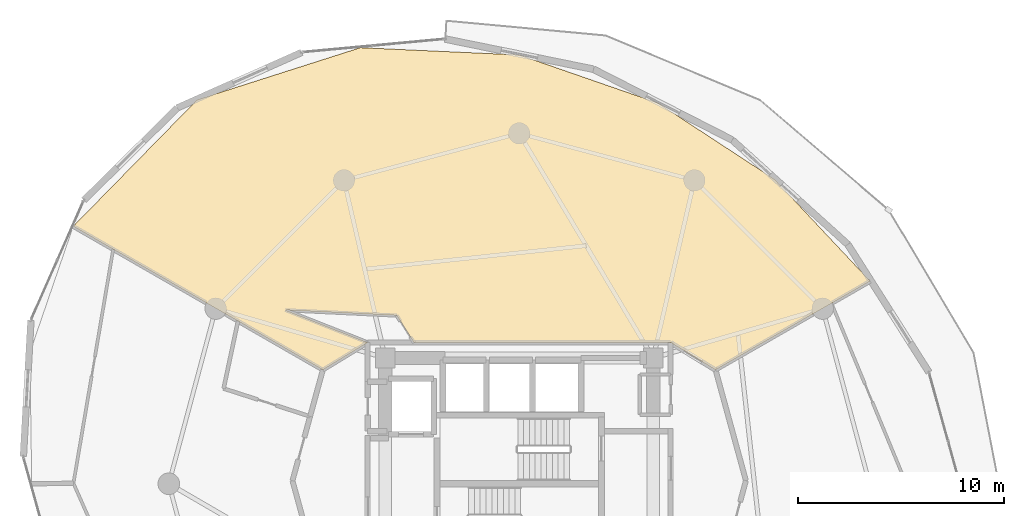
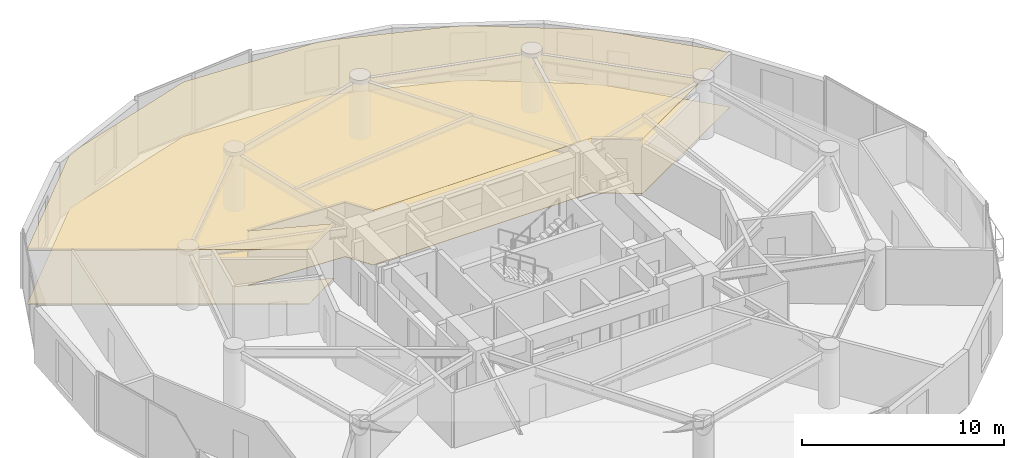
# One storey, part 25 of 25: 2 coverings.
"""IFC4 building model written with IfcOpenShell, lengths in metres."""

import ifcopenshell
import ifcopenshell.guid

model = None  # the IFC model being written
_history = None  # IfcOwnerHistory: only IFC2X3 demands one
_inside = {}  # id of a spatial element -> (the spatial element, [elements in it])
_under = {}  # id of a project, library or spatial element -> (it, [spatial elements below it])
_declared = {}  # id of a project -> (the project, [libraries it declares])
_typed = {}  # id of a type object -> (the type object, [elements of that type])
_made_of = {}  # id of a material, layer set ... -> (it, [elements and type objects made of it])


def new_model(schema):
    """Start an empty IFC model of exactly this schema.

    Asked for "IFC4X3", IfcOpenShell would pick the latest addendum, in which some entities
    have other attributes; the version numbers below select the first issue.
    IFC2X3 requires an IfcOwnerHistory on every rooted entity: one is made here for all.
    """
    global model, _history
    if schema == "IFC4X3":
        model = ifcopenshell.file(schema_version=(4, 3, 0, 0))
    else:
        model = ifcopenshell.file(schema=schema)
    _inside.clear()
    _under.clear()
    _declared.clear()
    _typed.clear()
    _made_of.clear()
    _history = None
    if model.schema == "IFC2X3":
        org = make("IfcOrganization", Name="unknown")
        user = make(
            "IfcPersonAndOrganization",
            ThePerson=make("IfcPerson", FamilyName="unknown"),
            TheOrganization=org,
        )
        app = make(
            "IfcApplication",
            ApplicationDeveloper=org,
            Version="unknown",
            ApplicationFullName="unknown",
            ApplicationIdentifier="unknown",
        )
        _history = make(
            "IfcOwnerHistory",
            OwningUser=user,
            OwningApplication=app,
            ChangeAction="ADDED",
            CreationDate=0,
        )
    return model


def make(cls, **values):
    """One entity of the class cls with the attributes given. An attribute that is None is left unset."""
    return model.create_entity(
        cls, **{name: value for name, value in values.items() if value is not None}
    )


def rooted(cls, **values):
    """An entity with a GlobalId (a new one), such as an element, a storey or a relation."""
    return make(cls, GlobalId=ifcopenshell.guid.new(), OwnerHistory=_history, **values)


def si_unit(unit_type, name, prefix=None):
    """IfcSIUnit, for example si_unit("LENGTHUNIT", "METRE", prefix="MILLI")."""
    return make("IfcSIUnit", UnitType=unit_type, Prefix=prefix, Name=name)


def assignment(units):
    """IfcUnitAssignment: the units of a project."""
    return None if units is None else make("IfcUnitAssignment", Units=units)


def point(xyz):
    """IfcCartesianPoint."""
    return None if xyz is None else make("IfcCartesianPoint", Coordinates=xyz)


def direction(xyz):
    """IfcDirection."""
    return None if xyz is None else make("IfcDirection", DirectionRatios=xyz)


def frame(location, z_axis=None, x_axis=None):
    """IfcAxis2Placement3D, a coordinate frame: its origin and axes. An axis left out is left unset."""
    return make(
        "IfcAxis2Placement3D",
        Location=point(location),
        Axis=direction(z_axis),
        RefDirection=direction(x_axis),
    )


def origin():
    """The frame at (0, 0, 0) with its axes left unset."""
    return frame((0.0, 0.0, 0.0))


def place(relative_to, where):
    """IfcLocalPlacement: puts the frame where relative to a parent placement (None: the world)."""
    return make(
        "IfcLocalPlacement", PlacementRelTo=relative_to, RelativePlacement=where
    )


def context(
    kind, dimensions, precision=None, world=None, true_north=None, identifier=None
):
    """IfcGeometricRepresentationContext, for example the 3D "Model" context."""
    return make(
        "IfcGeometricRepresentationContext",
        ContextIdentifier=identifier,
        ContextType=kind,
        CoordinateSpaceDimension=dimensions,
        Precision=precision,
        WorldCoordinateSystem=world,
        TrueNorth=true_north,
    )


def subcontext(parent, identifier, kind, view, scale=None):
    """IfcGeometricRepresentationSubContext, for example "Body" below "Model"."""
    return make(
        "IfcGeometricRepresentationSubContext",
        ContextIdentifier=identifier,
        ContextType=kind,
        ParentContext=parent,
        TargetScale=scale,
        TargetView=view,
    )


def project(units=None, contexts=None):
    """IfcProject with its units and contexts."""
    return rooted(
        "IfcProject",
        Name="project",
        RepresentationContexts=contexts,
        UnitsInContext=assignment(units),
    )


def spatial(cls, under=None, at=None, **own):
    """A site, building, storey or space (cls), placed at a placement, below another one or the project."""
    s = rooted(cls, ObjectPlacement=at, **own)
    if under is not None:
        _under.setdefault(under.id(), (under, []))[1].append(s)
    return s


def polyline(points):
    """IfcPolyline through the points."""
    return make("IfcPolyline", Points=[point(p) for p in points])


def outline(outer, holes=None, kind="AREA"):
    """IfcArbitraryClosedProfileDef: a profile drawn as a closed curve; with holes, ...WithVoids."""
    if holes is None:
        return make("IfcArbitraryClosedProfileDef", ProfileType=kind, OuterCurve=outer)
    return make(
        "IfcArbitraryProfileDefWithVoids",
        ProfileType=kind,
        OuterCurve=outer,
        InnerCurves=holes,
    )


def extrude(swept, where, along, depth):
    """IfcExtrudedAreaSolid: the profile swept, set in the frame where, extruded along a direction by depth."""
    return make(
        "IfcExtrudedAreaSolid",
        SweptArea=swept,
        Position=where,
        ExtrudedDirection=direction(along),
        Depth=depth,
    )


def shape(context_of_items, identifier, shape_type, items):
    """IfcShapeRepresentation: the items that make up one representation, for example the "Body"."""
    return make(
        "IfcShapeRepresentation",
        ContextOfItems=context_of_items,
        RepresentationIdentifier=identifier,
        RepresentationType=shape_type,
        Items=items,
    )


def material(Name=None, Category=None):
    """IfcMaterial."""
    return make("IfcMaterial", Name=Name, Category=Category)


def layer(
    of_material, thickness, ventilated=None, Name=None, Category=None, Priority=None
):
    """IfcMaterialLayer: one layer of a wall or slab, of a material (None: an air gap)."""
    return make(
        "IfcMaterialLayer",
        Material=of_material,
        LayerThickness=thickness,
        IsVentilated=ventilated,
        Name=Name,
        Category=Category,
        Priority=Priority,
    )


def layer_set(layers, Name=None):
    """IfcMaterialLayerSet."""
    return make("IfcMaterialLayerSet", MaterialLayers=layers, LayerSetName=Name)


def made_of(thing, what):
    """Note that an element or type object is made of a material, layer set ...; save() writes the relation."""
    if what is not None:
        _made_of.setdefault(what.id(), (what, []))[1].append(thing)
    return thing


def type_object(cls, material=None, **own):
    """A type object (cls), such as IfcWallType, which elements share."""
    return made_of(rooted(cls, **own), material)


def element(
    cls,
    number,
    at=None,
    inside=None,
    cuts=None,
    type_object=None,
    material=None,
    context=None,
    identifier="Body",
    shape_type=None,
    held_by="IfcProductDefinitionShape",
    body=None,
    shapes=None,
    **own,
):
    """One element of the class cls, such as IfcWall. Its Tag is "e" and its number.

    at: its placement. inside: the storey or other place that contains it. cuts: it is an
    opening in that element (IfcRelVoidsElement). A single representation is given by context,
    identifier, shape_type and body (its items); several are given by shapes. held_by: the class
    of the entity that holds the representations. save() writes the other relations.
    """
    e = rooted(cls, Tag="e%d" % number, ObjectPlacement=at, **own)
    if body is not None:
        shapes = [shape(context, identifier, shape_type, body)]
    if shapes is not None:
        e.Representation = make(held_by, Representations=shapes)
    if inside is not None:
        _inside.setdefault(inside.id(), (inside, []))[1].append(e)
    if cuts is not None:
        rooted(
            "IfcRelVoidsElement", RelatingBuildingElement=cuts, RelatedOpeningElement=e
        )
    if type_object is not None:
        _typed.setdefault(type_object.id(), (type_object, []))[1].append(e)
    return made_of(e, material)


def aggregate(whole, parts):
    """IfcRelAggregates: a whole, such as a stair, and the parts it consists of."""
    return rooted("IfcRelAggregates", RelatingObject=whole, RelatedObjects=parts)


def save(model, path):
    """Write the relations noted so far, then the file.

    IfcRelAggregates (storeys below a building ...), IfcRelContainedInSpatialStructure (elements
    in a storey), IfcRelDefinesByType, IfcRelAssociatesMaterial and IfcRelDeclares: one each for
    every whole, place, type object, material and project.
    """
    for whole, parts in _under.values():
        aggregate(whole, parts)
    for where, things in _inside.values():
        rooted(
            "IfcRelContainedInSpatialStructure",
            RelatedElements=things,
            RelatingStructure=where,
        )
    for kind, things in _typed.values():
        rooted("IfcRelDefinesByType", RelatedObjects=things, RelatingType=kind)
    for what, things in _made_of.values():
        rooted("IfcRelAssociatesMaterial", RelatedObjects=things, RelatingMaterial=what)
    for by, libraries in _declared.values():
        rooted("IfcRelDeclares", RelatingContext=by, RelatedDefinitions=libraries)
    model.write(path)


model = new_model("IFC4")

# Units and contexts
model_context = context("Model", 3, precision=1e-05, world=origin(), true_north=direction((0.0, 1.0)))
body_context = subcontext(model_context, "Body", "Model", "MODEL_VIEW")
ifc_project = project(units=[si_unit("LENGTHUNIT", "METRE"), si_unit("AREAUNIT", "SQUARE_METRE"), si_unit("VOLUMEUNIT", "CUBIC_METRE"), si_unit("PLANEANGLEUNIT", "RADIAN"), si_unit("MASSUNIT", "GRAM", prefix="KILO")], contexts=[model_context])

# Site, building, storey
site_placement = place(None, origin())
site = spatial("IfcSite", under=ifc_project, at=site_placement, CompositionType="ELEMENT")
building_placement = place(site_placement, origin())
building = spatial("IfcBuilding", under=site, at=building_placement, Name="Solvirekh Grand Hotel", CompositionType="ELEMENT")
storey_placement = place(building_placement, frame((0.0, 0.0, 117.0)))
storey = spatial("IfcBuildingStorey", under=building, at=storey_placement, Name="L29", CompositionType="ELEMENT", Elevation=117.0)

# Coverings
ifc_material_1 = material(Name="Acoustic Mineral Ceiling Tile")
ifc_layer_1 = layer(ifc_material_1, 0.02490234375)
ifc_layer_set_1 = layer_set([ifc_layer_1], Name="Acoustic Mineral Ceiling Tile")
covering_type_1 = type_object("IfcCoveringType", Name="Cov_Ceiling_Acoustic", PredefinedType="CEILING", material=ifc_layer_set_1)
covering_1_placement = place(storey_placement, frame((0.0, 0.0, 3.300048828125)))
element("IfcCovering", 1, at=covering_1_placement, inside=storey, type_object=covering_type_1, Name="L29 Panorama Suite 3101 acoustic ceiling", PredefinedType="CEILING", context=body_context, shape_type="SweptSolid", body=[
    extrude(outline(polyline([(-7.35009765625, 6.85009765625), (-11.35009765625, 8.428955078125), (-5.94091796875, 8.1689453125), (-5.10009765625, 6.85009765625), (7.35009765625, 6.85009765625), (9.52587890625, 5.52490234375), (17.027099609375, 9.8310546875), (12.39111328125, 14.76708984375), (6.72412109375, 18.47509765625), (0.0, 20.804931640625), (-7.700927734375, 21.156982421875), (-15.6279296875, 18.625), (-21.635986328125, 12.490966796875), (-9.52587890625, 5.52490234375), (-7.35009765625, 6.85009765625)])), origin(), (0.0, 0.0, 1.0), 0.01806640625),
])
ifc_material_2 = material(Name="Porcelain Stoneware Flooring", Category="masonry")
ifc_layer_2 = layer(ifc_material_2, 0.030029296875)
ifc_layer_set_2 = layer_set([ifc_layer_2], Name="Porcelain Stoneware Flooring")
covering_type_2 = type_object("IfcCoveringType", Name="Cov_Floor_Stone", PredefinedType="FLOORING", material=ifc_layer_set_2)
covering_2_placement = place(storey_placement, origin())
element("IfcCovering", 2, at=covering_2_placement, inside=storey, type_object=covering_type_2, Name="L29 Panorama Suite 3101 polished granite flooring", PredefinedType="FLOORING", context=body_context, shape_type="SweptSolid", body=[
    extrude(outline(polyline([(-7.35009765625, 6.85009765625), (-11.35009765625, 8.428955078125), (-5.94091796875, 8.1689453125), (-5.10009765625, 6.85009765625), (7.35009765625, 6.85009765625), (9.52587890625, 5.52490234375), (17.027099609375, 9.8310546875), (12.39111328125, 14.76708984375), (6.72412109375, 18.47509765625), (0.0, 20.804931640625), (-7.700927734375, 21.156982421875), (-15.6279296875, 18.625), (-21.635986328125, 12.490966796875), (-9.52587890625, 5.52490234375), (-7.35009765625, 6.85009765625)])), origin(), (0.0, 0.0, 1.0), 0.02001953125),
])

save(model, "model.ifc")
